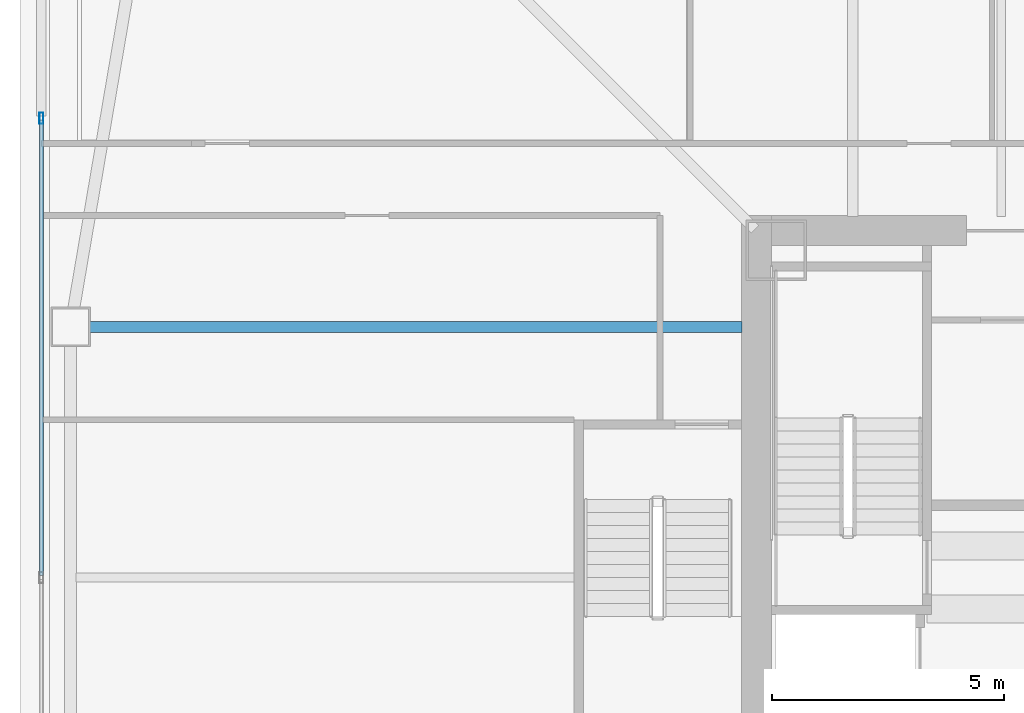
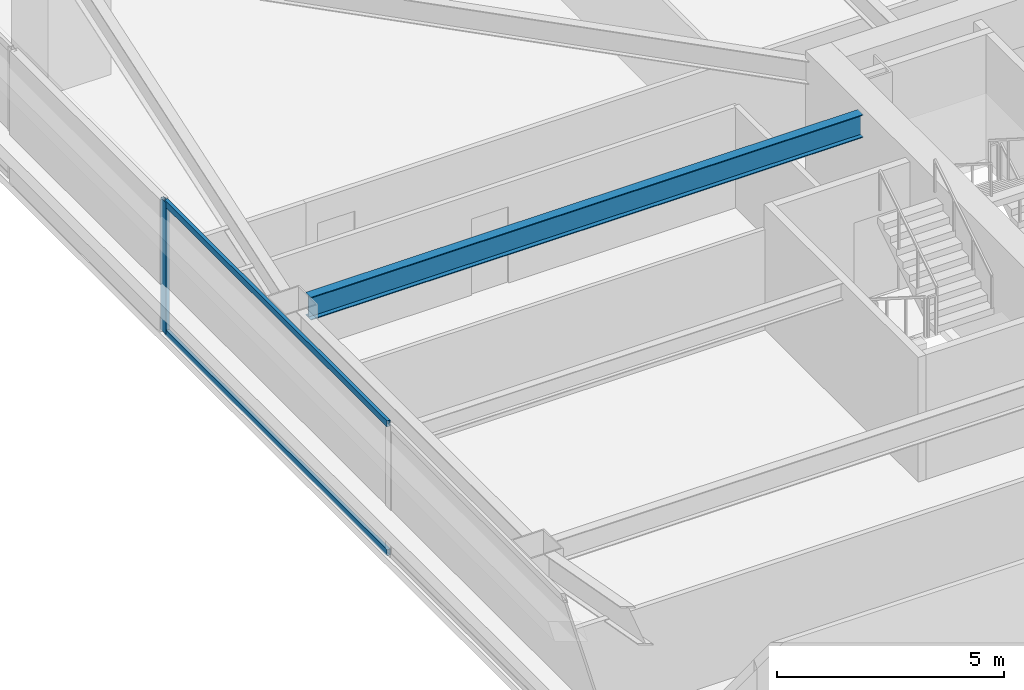
# One storey, part 12 of 51: 3 members, 1 beam, 1 element without a shape of its own.
"""IFC4 building model written with IfcOpenShell, lengths in metres."""

import ifcopenshell
import ifcopenshell.guid

model = None  # the IFC model being written
_history = None  # IfcOwnerHistory: only IFC2X3 demands one
_inside = {}  # id of a spatial element -> (the spatial element, [elements in it])
_under = {}  # id of a project, library or spatial element -> (it, [spatial elements below it])
_declared = {}  # id of a project -> (the project, [libraries it declares])
_typed = {}  # id of a type object -> (the type object, [elements of that type])
_made_of = {}  # id of a material, layer set ... -> (it, [elements and type objects made of it])


def new_model(schema):
    """Start an empty IFC model of exactly this schema.

    Asked for "IFC4X3", IfcOpenShell would pick the latest addendum, in which some entities
    have other attributes; the version numbers below select the first issue.
    IFC2X3 requires an IfcOwnerHistory on every rooted entity: one is made here for all.
    """
    global model, _history
    if schema == "IFC4X3":
        model = ifcopenshell.file(schema_version=(4, 3, 0, 0))
    else:
        model = ifcopenshell.file(schema=schema)
    _inside.clear()
    _under.clear()
    _declared.clear()
    _typed.clear()
    _made_of.clear()
    _history = None
    if model.schema == "IFC2X3":
        org = make("IfcOrganization", Name="unknown")
        user = make(
            "IfcPersonAndOrganization",
            ThePerson=make("IfcPerson", FamilyName="unknown"),
            TheOrganization=org,
        )
        app = make(
            "IfcApplication",
            ApplicationDeveloper=org,
            Version="unknown",
            ApplicationFullName="unknown",
            ApplicationIdentifier="unknown",
        )
        _history = make(
            "IfcOwnerHistory",
            OwningUser=user,
            OwningApplication=app,
            ChangeAction="ADDED",
            CreationDate=0,
        )
    return model


def make(cls, **values):
    """One entity of the class cls with the attributes given. An attribute that is None is left unset."""
    return model.create_entity(
        cls, **{name: value for name, value in values.items() if value is not None}
    )


def rooted(cls, **values):
    """An entity with a GlobalId (a new one), such as an element, a storey or a relation."""
    return make(cls, GlobalId=ifcopenshell.guid.new(), OwnerHistory=_history, **values)


def si_unit(unit_type, name, prefix=None):
    """IfcSIUnit, for example si_unit("LENGTHUNIT", "METRE", prefix="MILLI")."""
    return make("IfcSIUnit", UnitType=unit_type, Prefix=prefix, Name=name)


def assignment(units):
    """IfcUnitAssignment: the units of a project."""
    return None if units is None else make("IfcUnitAssignment", Units=units)


def point(xyz):
    """IfcCartesianPoint."""
    return None if xyz is None else make("IfcCartesianPoint", Coordinates=xyz)


def direction(xyz):
    """IfcDirection."""
    return None if xyz is None else make("IfcDirection", DirectionRatios=xyz)


def frame(location, z_axis=None, x_axis=None):
    """IfcAxis2Placement3D, a coordinate frame: its origin and axes. An axis left out is left unset."""
    return make(
        "IfcAxis2Placement3D",
        Location=point(location),
        Axis=direction(z_axis),
        RefDirection=direction(x_axis),
    )


def frame_2d(location, x_axis=None):
    """IfcAxis2Placement2D, a coordinate frame in the plane: its origin and x axis."""
    return make(
        "IfcAxis2Placement2D", Location=point(location), RefDirection=direction(x_axis)
    )


def origin():
    """The frame at (0, 0, 0) with its axes left unset."""
    return frame((0.0, 0.0, 0.0))


def origin_2d():
    """The frame at (0, 0) in the plane with its x axis left unset."""
    return frame_2d((0.0, 0.0))


def place(relative_to, where):
    """IfcLocalPlacement: puts the frame where relative to a parent placement (None: the world)."""
    return make(
        "IfcLocalPlacement", PlacementRelTo=relative_to, RelativePlacement=where
    )


def context(
    kind, dimensions, precision=None, world=None, true_north=None, identifier=None
):
    """IfcGeometricRepresentationContext, for example the 3D "Model" context."""
    return make(
        "IfcGeometricRepresentationContext",
        ContextIdentifier=identifier,
        ContextType=kind,
        CoordinateSpaceDimension=dimensions,
        Precision=precision,
        WorldCoordinateSystem=world,
        TrueNorth=true_north,
    )


def subcontext(parent, identifier, kind, view, scale=None):
    """IfcGeometricRepresentationSubContext, for example "Body" below "Model"."""
    return make(
        "IfcGeometricRepresentationSubContext",
        ContextIdentifier=identifier,
        ContextType=kind,
        ParentContext=parent,
        TargetScale=scale,
        TargetView=view,
    )


def project(units=None, contexts=None):
    """IfcProject with its units and contexts."""
    return rooted(
        "IfcProject",
        Name="project",
        RepresentationContexts=contexts,
        UnitsInContext=assignment(units),
    )


def spatial(cls, under=None, at=None, **own):
    """A site, building, storey or space (cls), placed at a placement, below another one or the project."""
    s = rooted(cls, ObjectPlacement=at, **own)
    if under is not None:
        _under.setdefault(under.id(), (under, []))[1].append(s)
    return s


def profile(cls, at=None, kind="AREA", **sizes):
    """A parametric profile (cls). Its sizes go by their IFC names, for example OverallWidth=200.0."""
    return make(cls, ProfileType=kind, Position=at, **sizes)


def hollow_rectangle(**sizes):
    """IfcRectangleHollowProfileDef."""
    return profile("IfcRectangleHollowProfileDef", **sizes)


def i_section(**sizes):
    """IfcIShapeProfileDef."""
    return profile("IfcIShapeProfileDef", **sizes)


def extrude(swept, where, along, depth):
    """IfcExtrudedAreaSolid: the profile swept, set in the frame where, extruded along a direction by depth."""
    return make(
        "IfcExtrudedAreaSolid",
        SweptArea=swept,
        Position=where,
        ExtrudedDirection=direction(along),
        Depth=depth,
    )


def shape(context_of_items, identifier, shape_type, items):
    """IfcShapeRepresentation: the items that make up one representation, for example the "Body"."""
    return make(
        "IfcShapeRepresentation",
        ContextOfItems=context_of_items,
        RepresentationIdentifier=identifier,
        RepresentationType=shape_type,
        Items=items,
    )


def material(Name=None, Category=None):
    """IfcMaterial."""
    return make("IfcMaterial", Name=Name, Category=Category)


def material_profile(
    of_material, cross_section, Name=None, Category=None, Priority=None
):
    """IfcMaterialProfile: a cross section and its material."""
    return make(
        "IfcMaterialProfile",
        Name=Name,
        Material=of_material,
        Profile=cross_section,
        Priority=Priority,
        Category=Category,
    )


def profile_set(profiles, Name=None, composite=None):
    """IfcMaterialProfileSet."""
    return make(
        "IfcMaterialProfileSet",
        Name=Name,
        MaterialProfiles=profiles,
        CompositeProfile=composite,
    )


def made_of(thing, what):
    """Note that an element or type object is made of a material, layer set ...; save() writes the relation."""
    if what is not None:
        _made_of.setdefault(what.id(), (what, []))[1].append(thing)
    return thing


def type_object(cls, material=None, **own):
    """A type object (cls), such as IfcWallType, which elements share."""
    return made_of(rooted(cls, **own), material)


def element(
    cls,
    number,
    at=None,
    inside=None,
    cuts=None,
    type_object=None,
    material=None,
    context=None,
    identifier="Body",
    shape_type=None,
    held_by="IfcProductDefinitionShape",
    body=None,
    shapes=None,
    **own,
):
    """One element of the class cls, such as IfcWall. Its Tag is "e" and its number.

    at: its placement. inside: the storey or other place that contains it. cuts: it is an
    opening in that element (IfcRelVoidsElement). A single representation is given by context,
    identifier, shape_type and body (its items); several are given by shapes. held_by: the class
    of the entity that holds the representations. save() writes the other relations.
    """
    e = rooted(cls, Tag="e%d" % number, ObjectPlacement=at, **own)
    if body is not None:
        shapes = [shape(context, identifier, shape_type, body)]
    if shapes is not None:
        e.Representation = make(held_by, Representations=shapes)
    if inside is not None:
        _inside.setdefault(inside.id(), (inside, []))[1].append(e)
    if cuts is not None:
        rooted(
            "IfcRelVoidsElement", RelatingBuildingElement=cuts, RelatedOpeningElement=e
        )
    if type_object is not None:
        _typed.setdefault(type_object.id(), (type_object, []))[1].append(e)
    return made_of(e, material)


def aggregate(whole, parts):
    """IfcRelAggregates: a whole, such as a stair, and the parts it consists of."""
    return rooted("IfcRelAggregates", RelatingObject=whole, RelatedObjects=parts)


def save(model, path):
    """Write the relations noted so far, then the file.

    IfcRelAggregates (storeys below a building ...), IfcRelContainedInSpatialStructure (elements
    in a storey), IfcRelDefinesByType, IfcRelAssociatesMaterial and IfcRelDeclares: one each for
    every whole, place, type object, material and project.
    """
    for whole, parts in _under.values():
        aggregate(whole, parts)
    for where, things in _inside.values():
        rooted(
            "IfcRelContainedInSpatialStructure",
            RelatedElements=things,
            RelatingStructure=where,
        )
    for kind, things in _typed.values():
        rooted("IfcRelDefinesByType", RelatedObjects=things, RelatingType=kind)
    for what, things in _made_of.values():
        rooted("IfcRelAssociatesMaterial", RelatedObjects=things, RelatingMaterial=what)
    for by, libraries in _declared.values():
        rooted("IfcRelDeclares", RelatingContext=by, RelatedDefinitions=libraries)
    model.write(path)


model = new_model("IFC4")

# Units and contexts
model_context = context("Model", 3, precision=1e-05, world=origin(), true_north=direction((0.0, 1.0)))
body_context = subcontext(model_context, "Body", "Model", "MODEL_VIEW")
ifc_project = project(units=[si_unit("LENGTHUNIT", "METRE"), si_unit("AREAUNIT", "SQUARE_METRE"), si_unit("VOLUMEUNIT", "CUBIC_METRE"), si_unit("PLANEANGLEUNIT", "RADIAN"), si_unit("MASSUNIT", "GRAM", prefix="KILO")], contexts=[model_context])

# Site, building, storey
site_placement = place(None, origin())
site = spatial("IfcSite", under=ifc_project, at=site_placement, CompositionType="ELEMENT")
building_placement = place(site_placement, origin())
building = spatial("IfcBuilding", under=site, at=building_placement, Name="Tashvorn Skyway Center", CompositionType="ELEMENT")
storey_placement = place(building_placement, frame((0.0, 0.0, 49.449951171875)))
storey = spatial("IfcBuildingStorey", under=building, at=storey_placement, Name="L12", CompositionType="ELEMENT", Elevation=49.449951171875)

# Beam
ifc_material_1 = material(Name="Steel ASTM A992 Grade 50", Category="steel")
ifc_material_profile_1 = material_profile(ifc_material_1, i_section(OverallWidth=0.22998046875, OverallDepth=0.616943359375, WebThickness=0.01318359375, FlangeThickness=0.022216796875, at=origin_2d()), Name="W24X94")
ifc_profile_set_1 = profile_set([ifc_material_profile_1], Name="Steel ASTM A992 Grade 50")
beam_type = type_object("IfcBeamType", Name="BM-BEAM-W24X94", PredefinedType="BEAM", material=ifc_profile_set_1)
beam_placement = place(storey_placement, frame((20.169921875, 37.39990234375, 3.04150390625), z_axis=(1.0, 0.0, 0.0), x_axis=(0.0, 1.0, 0.0)))
element("IfcBeam", 1, at=beam_placement, inside=storey, type_object=beam_type, Name="Tower 1 L12 Primary Floor Girder FC-W1", PredefinedType="BEAM", context=body_context, shape_type="SweptSolid", body=[
    extrude(i_section(OverallWidth=0.22998046875, OverallDepth=0.616943359375, WebThickness=0.01318359375, FlangeThickness=0.022216796875, at=origin_2d()), origin(), (0.0, 0.0, 1.0), 14.050048828125),
])

# Curtain wall, members
ifc_material_2 = material(Name="Thermally broken bronze-anodized aluminium 6063-T6", Category="aluminium")
curtain_wall_type = type_object("IfcCurtainWallType", Name="CW-CW-Z1", PredefinedType="NOTDEFINED", material=ifc_material_2)
curtain_wall_placement = place(storey_placement, origin())
curtain_wall = element("IfcCurtainWall", 2, at=curtain_wall_placement, inside=storey, type_object=curtain_wall_type, Name="Tower 1 L12 West Unitised Curtain Wall Glazing Group 2", PredefinedType="NOTDEFINED")
ifc_material_profile_2 = material_profile(ifc_material_2, hollow_rectangle(XDim=0.0849609375, YDim=0.239990234375, WallThickness=0.0048828125, at=origin_2d()), Name="ALU-MULL-85x240")
ifc_profile_set_2 = profile_set([ifc_material_profile_2], Name="Thermally broken bronze-anodized aluminium 6063-T6")
member_type_1 = type_object("IfcMemberType", Name="CWM-CW-Z1", PredefinedType="MULLION", material=ifc_profile_set_2)
member_1_placement = place(storey_placement, frame((19.1201171875, 41.8974609375, 0.0), z_axis=(0.0, 0.0, 1.0), x_axis=(-1.0, 0.0, 0.0)))
member_1 = element("IfcMember", 3, at=member_1_placement, type_object=member_type_1, Name="CW-Z1 mullion 3", PredefinedType="MULLION", context=body_context, shape_type="SweptSolid", body=[
    extrude(hollow_rectangle(XDim=0.0849609375, YDim=0.239990234375, WallThickness=0.0048828125, at=origin_2d()), origin(), (0.0, 0.0, 1.0), 3.550048828125),
])
ifc_material_profile_3 = material_profile(ifc_material_2, hollow_rectangle(XDim=0.0849609375, YDim=0.1650390625, WallThickness=0.0048828125, at=origin_2d()), Name="ALU-TRAN-85x165")
ifc_profile_set_3 = profile_set([ifc_material_profile_3], Name="Thermally broken bronze-anodized aluminium 6063-T6")
member_type_2 = type_object("IfcMemberType", Name="CWT-CW-Z1", PredefinedType="USERDEFINED", material=ifc_profile_set_3)
member_2_placement = place(storey_placement, frame((19.1201171875, 32.04248046875, 0.04248046875), z_axis=(0.0, 1.0, 0.0), x_axis=(-1.0, 0.0, 0.0)))
member_2 = element("IfcMember", 4, at=member_2_placement, type_object=member_type_2, Name="CW-Z1 transom 2.1", ObjectType="TRANSOM", PredefinedType="USERDEFINED", context=body_context, shape_type="SweptSolid", body=[
    extrude(hollow_rectangle(XDim=0.0849609375, YDim=0.1650390625, WallThickness=0.0048828125, at=origin_2d()), origin(), (0.0, 0.0, 1.0), 9.8125),
])
member_3_placement = place(storey_placement, frame((19.1201171875, 32.04248046875, 3.507568359375), z_axis=(0.0, 1.0, 0.0), x_axis=(-1.0, 0.0, 0.0)))
member_3 = element("IfcMember", 5, at=member_3_placement, type_object=member_type_2, Name="CW-Z1 transom 2.2", ObjectType="TRANSOM", PredefinedType="USERDEFINED", context=body_context, shape_type="SweptSolid", body=[
    extrude(hollow_rectangle(XDim=0.0849609375, YDim=0.1650390625, WallThickness=0.0048828125, at=origin_2d()), origin(), (0.0, 0.0, 1.0), 9.8125),
])
aggregate(curtain_wall, [member_1, member_2, member_3])

save(model, "model.ifc")
